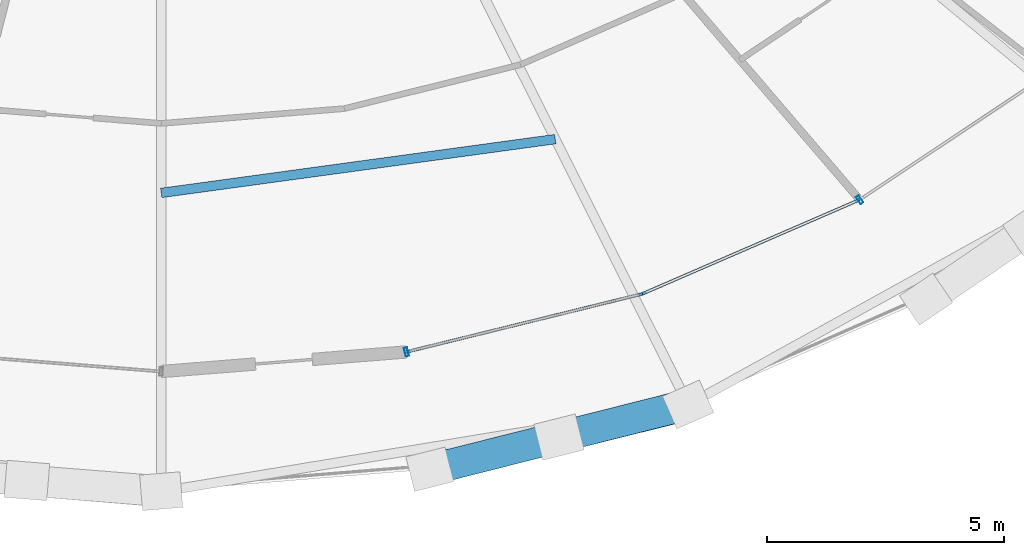
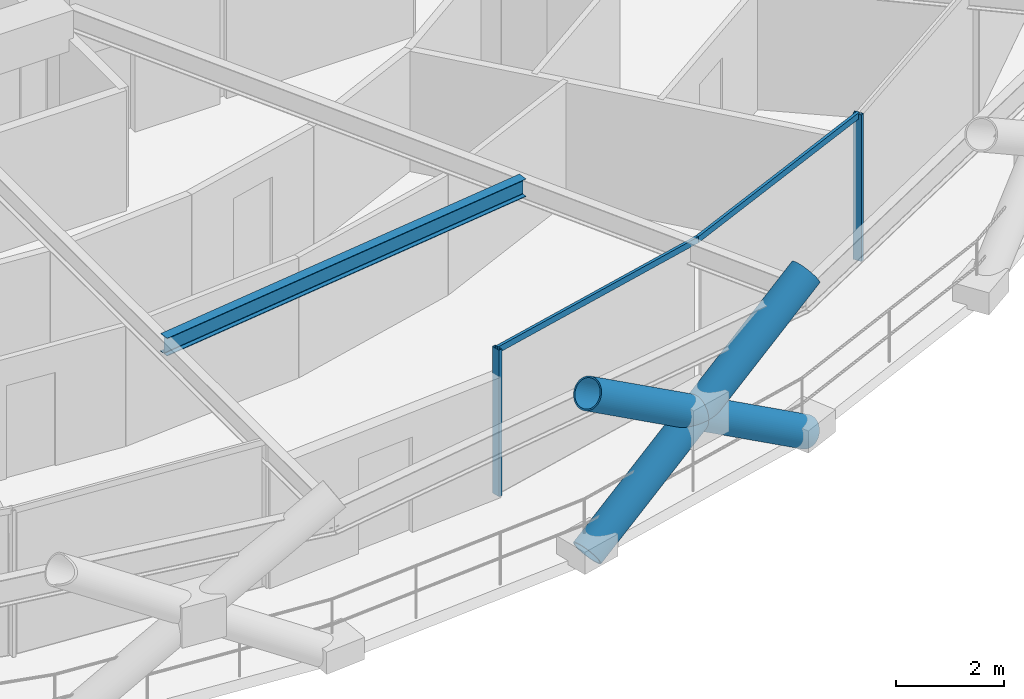
# One storey, part 6 of 19: 7 members, 1 beam, 1 element without a shape of its own.
"""IFC4 building model written with IfcOpenShell, lengths in metres."""

from ifc_helpers import new_model, si_unit, direction, frame, origin, origin_2d, place, context, subcontext, project, spatial, hollow_rectangle, hollow_circle, i_section, extrude, material, layer, layer_set, material_profile, profile_set, type_object, element, aggregate, save


model = new_model("IFC4")

# Units and contexts
model_context = context("Model", 3, precision=1e-05, world=origin(), true_north=direction((0.0, 1.0)))
body_context = subcontext(model_context, "Body", "Model", "MODEL_VIEW")
ifc_project = project(units=[si_unit("LENGTHUNIT", "METRE"), si_unit("AREAUNIT", "SQUARE_METRE"), si_unit("VOLUMEUNIT", "CUBIC_METRE"), si_unit("PLANEANGLEUNIT", "RADIAN"), si_unit("MASSUNIT", "GRAM", prefix="KILO")], contexts=[model_context])

# Site, building, storey
site_placement = place(None, origin())
site = spatial("IfcSite", under=ifc_project, at=site_placement, CompositionType="ELEMENT")
building_placement = place(site_placement, origin())
building = spatial("IfcBuilding", under=site, at=building_placement, Name="Veldorina Hangang Commons", CompositionType="ELEMENT")
storey_placement = place(building_placement, frame((0.0, 0.0, 77.199951171875)))
storey = spatial("IfcBuildingStorey", under=building, at=storey_placement, Name="L19", CompositionType="ELEMENT", Elevation=77.199951171875)

# Beam
ifc_material_1 = material(Name="Steel SM355-TMC", Category="steel")
ifc_material_profile_1 = material_profile(ifc_material_1, i_section(OverallWidth=0.199951171875, OverallDepth=0.39990234375, WebThickness=0.008056640625, FlangeThickness=0.012939453125, FilletRadius=0.012939453125, at=origin_2d()), Name="H-400x200x8x13")
ifc_profile_set_1 = profile_set([ifc_material_profile_1], Name="Steel SM355-TMC")
beam_type = type_object("IfcBeamType", Name="BM-JST400", PredefinedType="JOIST", material=ifc_profile_set_1)
beam_placement = place(storey_placement, frame((32.0, 6.289794921875, 3.14013671875), z_axis=(0.990807978527, 0.13527582817, 0.0), x_axis=(-0.13527582817, 0.990807978527, 0.0)))
element("IfcBeam", 1, at=beam_placement, inside=storey, type_object=beam_type, Name="L19 secondary floor joist 13", PredefinedType="JOIST", context=body_context, shape_type="SweptSolid", body=[
    extrude(i_section(OverallWidth=0.199951171875, OverallDepth=0.39990234375, WebThickness=0.008056640625, FlangeThickness=0.012939453125, FilletRadius=0.012939453125, at=origin_2d()), origin(), (0.0, 0.0, 1.0), 8.3740234375),
])

# Curtain wall, members
ifc_material_2 = material(Name="Glass Low-E Triple IGU", Category="glass")
ifc_layer = layer(ifc_material_2, 0.179931640625)
ifc_layer_set = layer_set([ifc_layer], Name="Glass Low-E Triple IGU")
curtain_wall_type = type_object("IfcCurtainWallType", Name="CW-SYS-Z1", PredefinedType="NOTDEFINED", material=ifc_layer_set)
curtain_wall_placement = place(storey_placement, origin())
curtain_wall = element("IfcCurtainWall", 2, at=curtain_wall_placement, inside=storey, type_object=curtain_wall_type, Name="L19 unitised curtain wall CW-L19-R2", PredefinedType="NOTDEFINED")
ifc_material_3 = material(Name="Aluminium Anodized AA6063-T6", Category="aluminium")
ifc_material_profile_2 = material_profile(ifc_material_3, hollow_rectangle(XDim=0.070068359375, YDim=0.179931640625, WallThickness=0.00390625, at=origin_2d()), Name="ALU-RHS-180x70x4")
ifc_profile_set_2 = profile_set([ifc_material_profile_2], Name="Aluminium Anodized AA6063-T6")
member_type_1 = type_object("IfcMemberType", Name="CW-MUL-180", PredefinedType="MULLION", material=ifc_profile_set_2)
member_1_placement = place(storey_placement, frame((37.164306640625, 2.94189453125, 0.0), z_axis=(0.0, 0.0, 1.0), x_axis=(0.9710384482, 0.238923276634, 0.0)))
member_1 = element("IfcMember", 3, at=member_1_placement, type_object=member_type_1, Name="CW-L19-R2 vertical mullion 1", PredefinedType="MULLION", context=body_context, shape_type="SweptSolid", body=[
    extrude(hollow_rectangle(XDim=0.070068359375, YDim=0.179931640625, WallThickness=0.00390625, at=origin_2d()), origin(), (0.0, 0.0, 1.0), 3.300048828125),
])
member_2_placement = place(storey_placement, frame((46.706298828125, 6.147705078125, 0.0), z_axis=(0.0, 0.0, 1.0), x_axis=(0.832428327075, 0.554132728038, 0.0)))
member_2 = element("IfcMember", 4, at=member_2_placement, type_object=member_type_1, Name="CW-L19-R2 vertical mullion 2", PredefinedType="MULLION", context=body_context, shape_type="SweptSolid", body=[
    extrude(hollow_rectangle(XDim=0.070068359375, YDim=0.179931640625, WallThickness=0.00390625, at=origin_2d()), origin(), (0.0, 0.0, 1.0), 3.300048828125),
])
ifc_material_profile_3 = material_profile(ifc_material_3, hollow_rectangle(XDim=0.06005859375, YDim=0.139892578125, WallThickness=0.00341796875, at=origin_2d()), Name="ALU-RHS-140x60x3.5")
ifc_profile_set_3 = profile_set([ifc_material_profile_3], Name="Aluminium Anodized AA6063-T6")
member_type_2 = type_object("IfcMemberType", Name="CW-TRN-140", PredefinedType="USERDEFINED", material=ifc_profile_set_3)
member_3_placement = place(storey_placement, frame((37.164306640625, 2.94189453125, 3.260009765625), z_axis=(0.97103175308, 0.238950485479, 0.0), x_axis=(-0.238950485479, 0.97103175308, 0.0)))
member_3 = element("IfcMember", 5, at=member_3_placement, type_object=member_type_2, Name="CW-L19-R2 facet 1 transom 1", ObjectType="TRANSOM", PredefinedType="USERDEFINED", context=body_context, shape_type="SweptSolid", body=[
    extrude(hollow_rectangle(XDim=0.06005859375, YDim=0.139892578125, WallThickness=0.00341796875, at=origin_2d()), origin(), (0.0, 0.0, 1.0), 5.11376953125),
])
member_4_placement = place(storey_placement, frame((42.1298828125, 4.163818359375, 3.260009765625), z_axis=(0.917499069048, 0.397737926651, 0.0), x_axis=(-0.397737926651, 0.917499069048, 0.0)))
member_4 = element("IfcMember", 6, at=member_4_placement, type_object=member_type_2, Name="CW-L19-R2 facet 2 transom 1", ObjectType="TRANSOM", PredefinedType="USERDEFINED", context=body_context, shape_type="SweptSolid", body=[
    extrude(hollow_rectangle(XDim=0.06005859375, YDim=0.139892578125, WallThickness=0.00341796875, at=origin_2d()), origin(), (0.0, 0.0, 1.0), 4.988037109375),
])
aggregate(curtain_wall, [member_1, member_2, member_3, member_4])

# Members
ifc_material_4 = material(Name="Steel SM460-TMC", Category="steel")
ifc_material_profile_4 = material_profile(ifc_material_4, hollow_circle(Radius=0.324951171875, WallThickness=0.031982421875, at=origin_2d()), Name="CHS-650x32")
ifc_profile_set_4 = profile_set([ifc_material_profile_4], Name="Steel SM460-TMC")
member_type_3 = type_object("IfcMemberType", Name="DG-CHS650", PredefinedType="BRACE", material=ifc_profile_set_4)
member_5_placement = place(storey_placement, frame((37.65576171875, 0.470458984375, 0.0), z_axis=(0.816568173588, 0.203528454195, 0.540178291137), x_axis=(-0.241849336202, 0.970313814484, 0.0)))
element("IfcMember", 7, at=member_5_placement, inside=storey, type_object=member_type_3, Name="L19 continuous perimeter diagrid brace 25", PredefinedType="BRACE", context=body_context, shape_type="SweptSolid", body=[
    extrude(hollow_circle(Radius=0.324951171875, WallThickness=0.031982421875, at=origin_2d()), origin(), (0.0, 0.0, 1.0), 6.66455078125),
])
member_6_placement = place(storey_placement, frame((43.09423828125, 1.835693359375, 0.0), z_axis=(-0.815841319438, -0.206287012864, 0.540230145235), x_axis=(0.2451369798, -0.969488453327, 0.0)))
element("IfcMember", 8, at=member_6_placement, inside=storey, type_object=member_type_3, Name="L19 split perimeter diagrid lower brace 26", PredefinedType="BRACE", context=body_context, shape_type="SweptSolid", body=[
    extrude(hollow_circle(Radius=0.324951171875, WallThickness=0.031982421875, at=origin_2d()), origin(), (0.0, 0.0, 1.0), 3.33154296875),
])
member_7_placement = place(storey_placement, frame((40.376220703125, 1.1484375, 1.7998046875), z_axis=(-0.815825735773, -0.206246021213, 0.540269328746), x_axis=(0.245095594995, -0.969498916613, 0.0)))
element("IfcMember", 9, at=member_7_placement, inside=storey, type_object=member_type_3, Name="L19 split perimeter diagrid upper brace 26", PredefinedType="BRACE", context=body_context, shape_type="SweptSolid", body=[
    extrude(hollow_circle(Radius=0.324951171875, WallThickness=0.031982421875, at=origin_2d()), origin(), (0.0, 0.0, 1.0), 3.332275390625),
])

save(model, "model.ifc")
